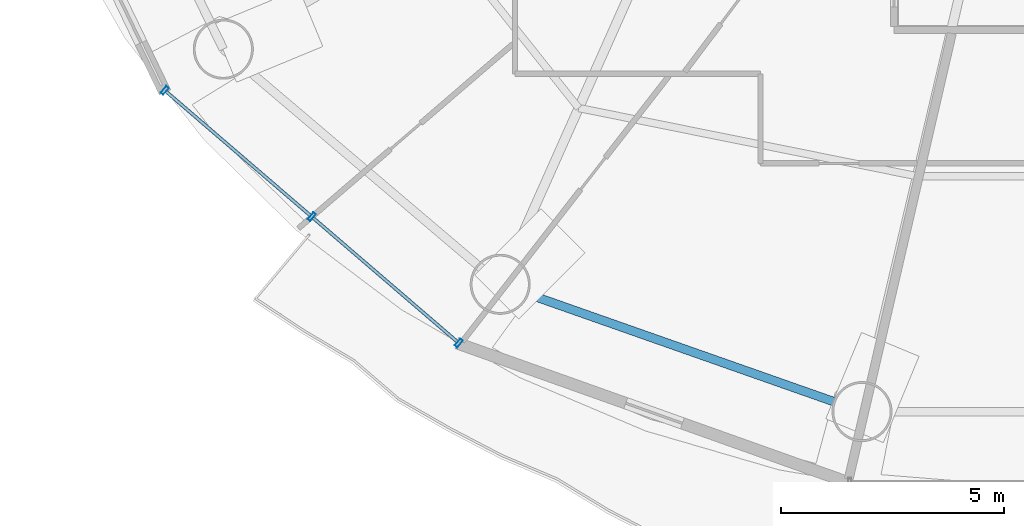
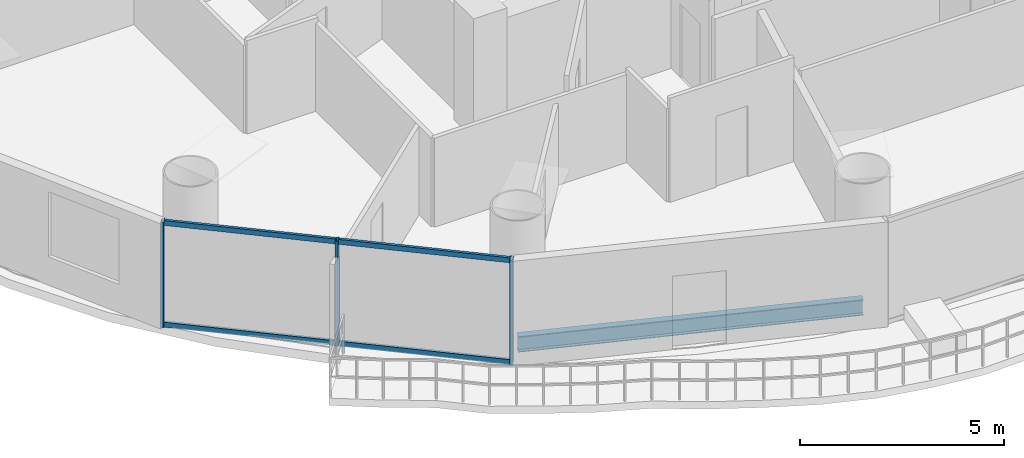
# One storey, part 2 of 26: 7 members, 1 beam, 1 element without a shape of its own.
"""IFC4 building model written with IfcOpenShell, lengths in metres."""

from ifc_helpers import new_model, si_unit, direction, frame, origin, origin_2d, place, context, subcontext, project, spatial, hollow_rectangle, i_section, extrude, source, transform, mapped, material, material_profile, profile_set, type_object, element, aggregate, save


model = new_model("IFC4")

# Units and contexts
model_context = context("Model", 3, precision=1e-05, world=origin(), true_north=direction((-0.2419218956, 0.970295726276)))
body_context = subcontext(model_context, "Body", "Model", "MODEL_VIEW")
ifc_project = project(units=[si_unit("LENGTHUNIT", "METRE"), si_unit("AREAUNIT", "SQUARE_METRE"), si_unit("VOLUMEUNIT", "CUBIC_METRE"), si_unit("PLANEANGLEUNIT", "RADIAN"), si_unit("MASSUNIT", "GRAM", prefix="KILO")], contexts=[model_context])

# Site, building, storey
site_placement = place(None, origin())
site = spatial("IfcSite", under=ifc_project, at=site_placement, CompositionType="ELEMENT")
building_placement = place(site_placement, origin())
building = spatial("IfcBuilding", under=site, at=building_placement, Name="Cobrevalo Terracotta Tower", CompositionType="ELEMENT")
storey_placement = place(building_placement, frame((0.0, 0.0, 182.199951171875)))
storey = spatial("IfcBuildingStorey", under=building, at=storey_placement, Name="L48", CompositionType="ELEMENT", Elevation=182.199951171875)

# Beam
ifc_material_1 = material(Name="Steel S355", Category="steel")
ifc_material_profile_1 = material_profile(ifc_material_1, i_section(OverallWidth=0.194091796875, OverallDepth=0.468994140625, WebThickness=0.011474609375, FlangeThickness=0.0205078125, at=origin_2d()), Name="W 460x106")
ifc_profile_set_1 = profile_set([ifc_material_profile_1], Name="Steel S355")
beam_type = type_object("IfcBeamType", Name="Structural Spandrel W 460x106 (Steel S355)", PredefinedType="SPANDREL", material=ifc_profile_set_1)
beam_placement = place(storey_placement, frame((25.471923828125, 10.87744140625, -0.50439453125), z_axis=(0.943341298492, -0.331824041565, 0.0), x_axis=(0.331824041565, 0.943341298492, 0.0)))
element("IfcBeam", 1, at=beam_placement, inside=storey, type_object=beam_type, Name="L48 perimeter ring spandrel 11", PredefinedType="SPANDREL", context=body_context, shape_type="SweptSolid", body=[
    extrude(i_section(OverallWidth=0.194091796875, OverallDepth=0.468994140625, WebThickness=0.011474609375, FlangeThickness=0.0205078125, at=origin_2d()), origin(), (0.0, 0.0, 1.0), 8.6171875),
])

# Curtain wall, members
ifc_material_2 = material(Name="Anodized aluminium", Category="aluminium")
curtain_wall_type = type_object("IfcCurtainWallType", Name="Mid-tower high-wind unitised curtain wall CW-U2", PredefinedType="NOTDEFINED", material=ifc_material_2)
curtain_wall_placement = place(storey_placement, origin())
curtain_wall = element("IfcCurtainWall", 2, at=curtain_wall_placement, inside=storey, type_object=curtain_wall_type, Name="L48 curtain wall CW-L48-S10", PredefinedType="NOTDEFINED")
ifc_material_profile_2 = material_profile(ifc_material_2, hollow_rectangle(XDim=0.074951171875, YDim=0.14990234375, WallThickness=0.00439453125, at=origin_2d()), Name="CWT 75x150")
ifc_profile_set_2 = profile_set([ifc_material_profile_2], Name="Anodized aluminium")
member_type_1 = type_object("IfcMemberType", Name="Tower unitised aluminium transom 75x150", PredefinedType="USERDEFINED", material=ifc_profile_set_2)
shared_shape_1 = source(origin(), body_context, "Body", "SweptSolid", [
    extrude(hollow_rectangle(XDim=0.074951171875, YDim=0.14990234375, WallThickness=0.00439453125, at=origin_2d()), origin(), (0.0, 0.0, 1.0), 4.276123046875),
])
member_1_placement = place(storey_placement, frame((17.964111328125, 15.208740234375, 0.050048828125), z_axis=(0.758417719247, -0.651768795764, 0.0), x_axis=(0.651768795764, 0.758417719247, 0.0)))
member_1 = element("IfcMember", 3, at=member_1_placement, type_object=member_type_1, Name="CW-L48-S10 transom B01-T1", ObjectType="TRANSOM", PredefinedType="USERDEFINED", context=body_context, shape_type="MappedRepresentation", body=[
    mapped(shared_shape_1, transform((0.0, 0.0, 0.0), scale=1.0)),
])
member_2_placement = place(storey_placement, frame((17.964111328125, 15.208740234375, 3.10009765625), z_axis=(0.758417719247, -0.651768795764, 0.0), x_axis=(0.651768795764, 0.758417719247, 0.0)))
member_2 = element("IfcMember", 4, at=member_2_placement, type_object=member_type_1, Name="CW-L48-S10 transom B01-T2", ObjectType="TRANSOM", PredefinedType="USERDEFINED", context=body_context, shape_type="MappedRepresentation", body=[
    mapped(shared_shape_1, transform((0.0, 0.0, 0.0), scale=1.0)),
])
member_3_placement = place(storey_placement, frame((21.26806640625, 12.36962890625, 0.050048828125), z_axis=(0.758417719247, -0.651768795764, 0.0), x_axis=(0.651768795764, 0.758417719247, 0.0)))
member_3 = element("IfcMember", 5, at=member_3_placement, type_object=member_type_1, Name="CW-L48-S10 transom B02-T1", ObjectType="TRANSOM", PredefinedType="USERDEFINED", context=body_context, shape_type="MappedRepresentation", body=[
    mapped(shared_shape_1, transform((0.0, 0.0, 0.0), scale=1.0)),
])
member_4_placement = place(storey_placement, frame((21.26806640625, 12.36962890625, 3.10009765625), z_axis=(0.758417719247, -0.651768795764, 0.0), x_axis=(0.651768795764, 0.758417719247, 0.0)))
member_4 = element("IfcMember", 6, at=member_4_placement, type_object=member_type_1, Name="CW-L48-S10 transom B02-T2", ObjectType="TRANSOM", PredefinedType="USERDEFINED", context=body_context, shape_type="MappedRepresentation", body=[
    mapped(shared_shape_1, transform((0.0, 0.0, 0.0), scale=1.0)),
])
ifc_material_profile_3 = material_profile(ifc_material_2, hollow_rectangle(XDim=0.074951171875, YDim=0.199951171875, WallThickness=0.0048828125, at=origin_2d()), Name="CWM 75x200")
ifc_profile_set_3 = profile_set([ifc_material_profile_3], Name="Anodized aluminium")
member_type_2 = type_object("IfcMemberType", Name="Lower/mid tower unitised mullion 75x200", PredefinedType="MULLION", material=ifc_profile_set_3)
shared_shape_2 = source(origin(), body_context, "Body", "SweptSolid", [
    extrude(hollow_rectangle(XDim=0.074951171875, YDim=0.199951171875, WallThickness=0.0048828125, at=origin_2d()), origin(), (0.0, 0.0, 1.0), 3.150146484375),
])
member_5_placement = place(storey_placement, frame((17.933837890625, 15.234619140625, 0.0), z_axis=(0.0, 0.0, 1.0), x_axis=(0.758441546142, -0.65174106905, 0.0)))
member_5 = element("IfcMember", 7, at=member_5_placement, type_object=member_type_2, Name="CW-L48-S10 vertical mullion 01", PredefinedType="MULLION", context=body_context, shape_type="MappedRepresentation", body=[
    mapped(shared_shape_2, transform((0.0, 0.0, 0.0), scale=1.0)),
])
member_6_placement = place(storey_placement, frame((21.237548828125, 12.3955078125, 0.0), z_axis=(0.0, 0.0, 1.0), x_axis=(0.758441546142, -0.65174106905, 0.0)))
member_6 = element("IfcMember", 8, at=member_6_placement, type_object=member_type_2, Name="CW-L48-S10 vertical mullion 02", PredefinedType="MULLION", context=body_context, shape_type="MappedRepresentation", body=[
    mapped(shared_shape_2, transform((0.0, 0.0, 0.0), scale=1.0)),
])
member_7_placement = place(storey_placement, frame((24.54150390625, 9.556396484375, 0.0), z_axis=(0.0, 0.0, 1.0), x_axis=(0.758441546142, -0.65174106905, 0.0)))
member_7 = element("IfcMember", 9, at=member_7_placement, type_object=member_type_2, Name="CW-L48-S10 vertical mullion 03", PredefinedType="MULLION", context=body_context, shape_type="MappedRepresentation", body=[
    mapped(shared_shape_2, transform((0.0, 0.0, 0.0), scale=1.0)),
])
aggregate(curtain_wall, [member_5, member_6, member_7, member_1, member_2, member_3, member_4])

save(model, "model.ifc")
